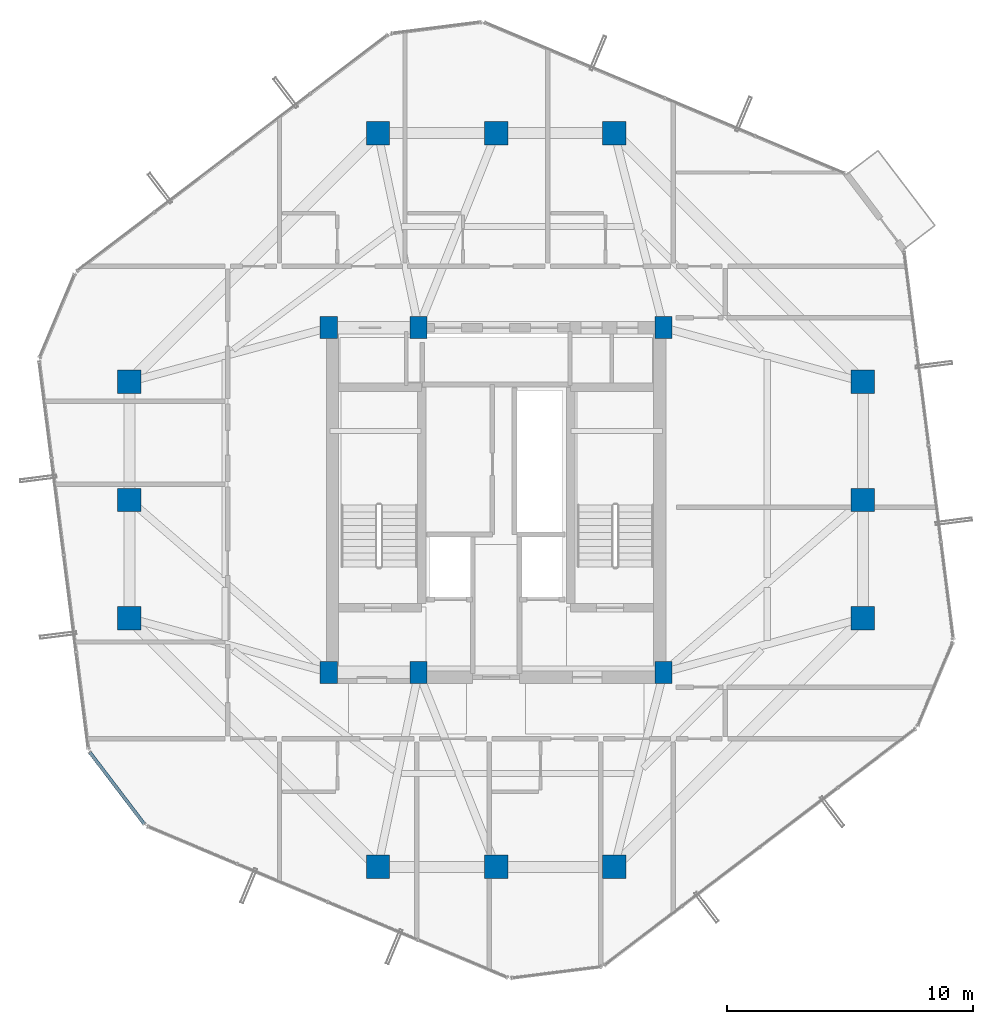
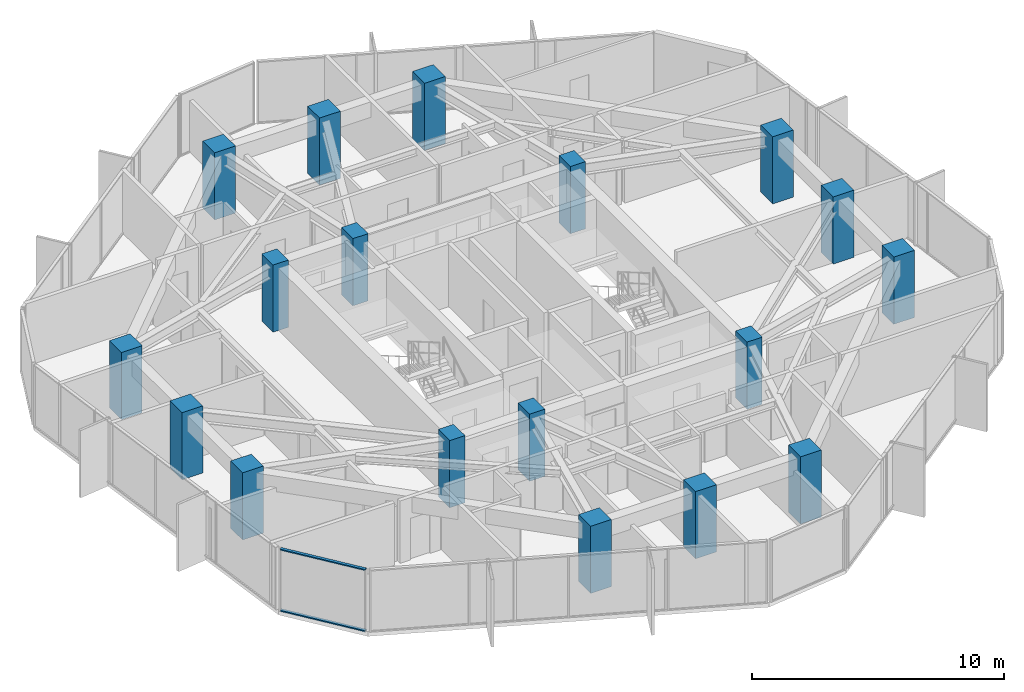
# One storey, part 1 of 32: 18 columns, 2 members, 1 element without a shape of its own.
"""IFC4 building model written with IfcOpenShell, lengths in metres."""

from ifc_helpers import new_model, si_unit, direction, frame, origin, origin_2d, place, context, subcontext, project, spatial, rectangle, hollow_rectangle, extrude, source, transform, mapped, material, layer, layer_set, material_profile, profile_set, type_object, element, aggregate, save


model = new_model("IFC4")

# Units and contexts
model_context = context("Model", 3, precision=1e-05, world=origin(), true_north=direction((0.0, 1.0)))
body_context = subcontext(model_context, "Body", "Model", "MODEL_VIEW")
ifc_project = project(units=[si_unit("LENGTHUNIT", "METRE"), si_unit("AREAUNIT", "SQUARE_METRE"), si_unit("VOLUMEUNIT", "CUBIC_METRE"), si_unit("PLANEANGLEUNIT", "RADIAN"), si_unit("MASSUNIT", "GRAM", prefix="KILO")], contexts=[model_context])

# Site, building, storey
site_placement = place(None, origin())
site = spatial("IfcSite", under=ifc_project, at=site_placement, CompositionType="ELEMENT")
building_placement = place(site_placement, origin())
building = spatial("IfcBuilding", under=site, at=building_placement, Name="Veraguas Prism Commons", CompositionType="ELEMENT")
storey_placement = place(building_placement, frame((0.0, 0.0, 182.10009765625)))
storey = spatial("IfcBuildingStorey", under=building, at=storey_placement, Name="L51", CompositionType="ELEMENT", Elevation=182.10009765625)

# Columns
ifc_material_1 = material(Name="Concrete C50/60", Category="concrete")
ifc_material_profile_1 = material_profile(ifc_material_1, rectangle(XDim=0.949951171875, YDim=0.949951171875, at=origin_2d()), Name="RC950X950")
ifc_profile_set_1 = profile_set([ifc_material_profile_1], Name="Concrete C50/60")
column_type_1 = type_object("IfcColumnType", Name="Column Tube Z3 RC 950x950", PredefinedType="COLUMN", material=ifc_profile_set_1)
for number, where, z_axis, x_axis, name in (
    (1, (38.89990234375, 19.199951171875, 0.0), (0.0, 0.0, 1.0), (1.0, 0.0, 0.0), "Tower Perimeter Column L51-TB01"),
    (2, (38.89990234375, 24.0, 0.0), (0.0, 0.0, 1.0), (1.0, 0.0, 0.0), "Tower Perimeter Column L51-TB02"),
    (3, (38.89990234375, 28.800048828125, 0.0), (0.0, 0.0, 1.0), (1.0, 0.0, 0.0), "Tower Perimeter Column L51-TB03"),
    (4, (28.800048828125, 38.89990234375, 0.0), (0.0, 0.0, 1.0), (1.0, 0.0, 0.0), "Tower Perimeter Column L51-TB04"),
    (5, (24.0, 38.89990234375, 0.0), (0.0, 0.0, 1.0), (1.0, 0.0, 0.0), "Tower Perimeter Column L51-TB05"),
    (6, (19.199951171875, 38.89990234375, 0.0), (0.0, 0.0, 1.0), (1.0, 0.0, 0.0), "Tower Perimeter Column L51-TB06"),
    (7, (9.10009765625, 28.800048828125, 0.0), (0.0, 0.0, 1.0), (1.0, 0.0, 0.0), "Tower Perimeter Column L51-TB07"),
    (8, (9.10009765625, 24.0, 0.0), (0.0, 0.0, 1.0), (1.0, 0.0, 0.0), "Tower Perimeter Column L51-TB08"),
    (9, (9.10009765625, 19.199951171875, 0.0), (0.0, 0.0, 1.0), (1.0, 0.0, 0.0), "Tower Perimeter Column L51-TB09"),
    (10, (19.199951171875, 9.10009765625, 0.0), (0.0, 0.0, 1.0), (1.0, 0.0, 0.0), "Tower Perimeter Column L51-TB10"),
    (11, (24.0, 9.10009765625, 0.0), (0.0, 0.0, 1.0), (1.0, 0.0, 0.0), "Tower Perimeter Column L51-TB11"),
    (12, (28.800048828125, 9.10009765625, 0.0), (0.0, 0.0, 1.0), (1.0, 0.0, 0.0), "Tower Perimeter Column L51-TB12"),
):
    element("IfcColumn", number, at=place(storey_placement, frame(where, z_axis=z_axis, x_axis=x_axis)), inside=storey, type_object=column_type_1, Name=name, PredefinedType="COLUMN", context=body_context, shape_type="SweptSolid", body=[
        extrude(rectangle(XDim=0.949951171875, YDim=0.949951171875, at=origin_2d()), origin(), (0.0, 0.0, 1.0), 3.25),
    ])
ifc_material_profile_2 = material_profile(ifc_material_1, rectangle(XDim=0.699951171875, YDim=0.89990234375, at=origin_2d()), Name="RC700X900")
ifc_profile_set_2 = profile_set([ifc_material_profile_2], Name="Concrete C50/60")
column_type_2 = type_object("IfcColumnType", Name="Pilaster Core Upper RC 700x900", PredefinedType="PILASTER", material=ifc_profile_set_2)
for number, where, z_axis, x_axis, name in (
    (13, (17.199951171875, 17.0, 0.0), (0.0, 0.0, 1.0), (1.0, 0.0, 0.0), "Core Pilaster Column L51-CR1"),
    (14, (20.85009765625, 17.0, 0.0), (0.0, 0.0, 1.0), (1.0, 0.0, 0.0), "Core Pilaster Column L51-CR2"),
    (15, (30.800048828125, 17.0, 0.0), (0.0, 0.0, 1.0), (1.0, 0.0, 0.0), "Core Pilaster Column L51-CR3"),
    (16, (17.199951171875, 31.0, 0.0), (0.0, 0.0, 1.0), (1.0, 0.0, 0.0), "Core Pilaster Column L51-CR4"),
    (17, (20.85009765625, 31.0, 0.0), (0.0, 0.0, 1.0), (1.0, 0.0, 0.0), "Core Pilaster Column L51-CR5"),
    (18, (30.800048828125, 31.0, 0.0), (0.0, 0.0, 1.0), (1.0, 0.0, 0.0), "Core Pilaster Column L51-CR6"),
):
    element("IfcColumn", number, at=place(storey_placement, frame(where, z_axis=z_axis, x_axis=x_axis)), inside=storey, type_object=column_type_2, Name=name, PredefinedType="PILASTER", context=body_context, shape_type="SweptSolid", body=[
        extrude(rectangle(XDim=0.699951171875, YDim=0.89990234375, at=origin_2d()), origin(), (0.0, 0.0, 1.0), 3.25),
    ])

# Curtain wall, members
ifc_material_2 = material(Name="Anodised aluminium EN AW-6063 T6", Category="aluminium")
ifc_layer = layer(ifc_material_2, 0.14990234375, Name="Unitised Flush Curtain Wall Zone 3", Category="aluminium")
ifc_layer_set = layer_set([ifc_layer], Name="Anodised aluminium EN AW-6063 T6")
curtain_wall_type = type_object("IfcCurtainWallType", Name="Unitised Flush Curtain Wall Zone 3", PredefinedType="NOTDEFINED", material=ifc_layer_set)
curtain_wall_placement = place(storey_placement, origin())
curtain_wall = element("IfcCurtainWall", 19, at=curtain_wall_placement, inside=storey, type_object=curtain_wall_type, Name="Chamfer Curtain Wall L51-C4", PredefinedType="NOTDEFINED")
ifc_material_profile_3 = material_profile(ifc_material_2, hollow_rectangle(XDim=0.054931640625, YDim=0.135009765625, WallThickness=0.0029296875, at=origin_2d()), Name="AL55X135X3")
ifc_profile_set_3 = profile_set([ifc_material_profile_3], Name="Anodised aluminium EN AW-6063 T6")
member_type = type_object("IfcMemberType", Name="Curtain Wall Transom Standard AL 55x135x3", PredefinedType="USERDEFINED", material=ifc_profile_set_3)
shared_shape = source(origin(), body_context, "Body", "SweptSolid", [
    extrude(hollow_rectangle(XDim=0.054931640625, YDim=0.135009765625, WallThickness=0.0029296875, at=origin_2d()), origin(), (0.0, 0.0, 1.0), 3.654296875),
])
member_1_placement = place(storey_placement, frame((7.4951171875, 13.7490234375, 0.02734375), z_axis=(0.605161186561, -0.796102969647, 0.0), x_axis=(0.0, 0.0, 1.0)))
member_1 = element("IfcMember", 20, at=member_1_placement, type_object=member_type, Name="CW-Z3 Transom 1", ObjectType="TRANSOM", PredefinedType="USERDEFINED", context=body_context, shape_type="MappedRepresentation", body=[
    mapped(shared_shape, transform((0.0, 0.0, 0.0), scale=1.0)),
])
member_2_placement = place(storey_placement, frame((7.4951171875, 13.7490234375, 2.9873046875), z_axis=(0.605161186561, -0.796102969647, 0.0), x_axis=(0.0, 0.0, 1.0)))
member_2 = element("IfcMember", 21, at=member_2_placement, type_object=member_type, Name="CW-Z3 Transom 2", ObjectType="TRANSOM", PredefinedType="USERDEFINED", context=body_context, shape_type="MappedRepresentation", body=[
    mapped(shared_shape, transform((0.0, 0.0, 0.0), scale=1.0)),
])
aggregate(curtain_wall, [member_1, member_2])

save(model, "model.ifc")
